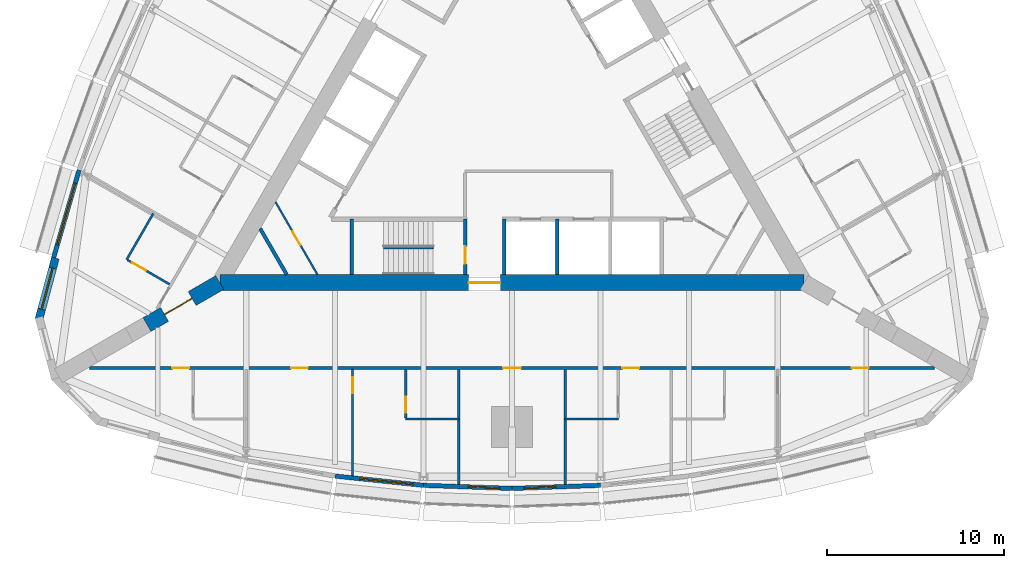
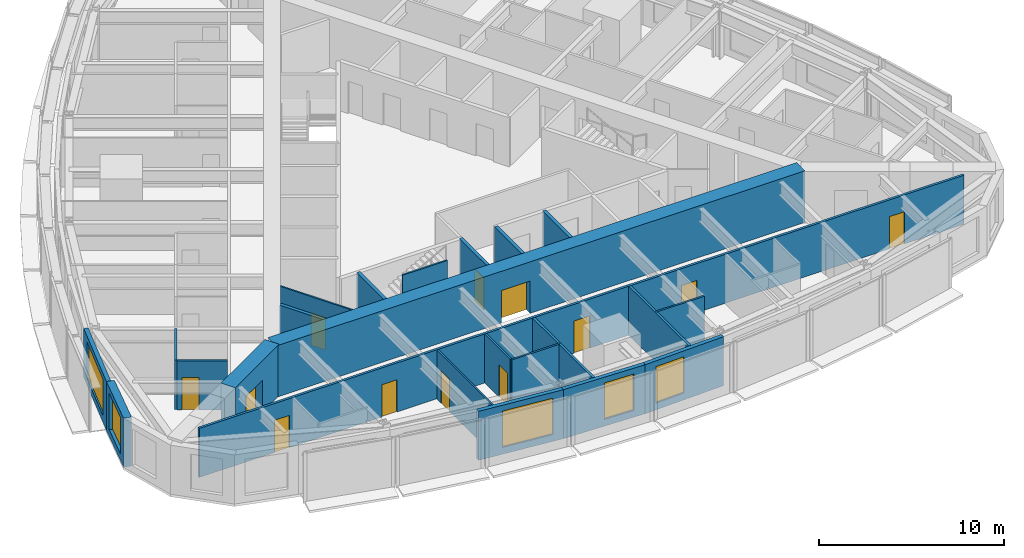
# One storey, part 8 of 14: 23 walls, 12 doors, 5 windows, 17 openings.
"""IFC4 building model written with IfcOpenShell, lengths in metres."""

from ifc_helpers import new_model, si_unit, direction, frame, frame_2d, origin, place, context, subcontext, project, spatial, rectangle, extrude, material, layer, layer_set, type_object, element, fill, save


model = new_model("IFC4")

# Units and contexts
model_context = context("Model", 3, precision=1e-05, world=origin(), true_north=direction((0.0, 1.0)))
body_context = subcontext(model_context, "Body", "Model", "MODEL_VIEW")
ifc_project = project(units=[si_unit("LENGTHUNIT", "METRE"), si_unit("AREAUNIT", "SQUARE_METRE"), si_unit("VOLUMEUNIT", "CUBIC_METRE"), si_unit("PLANEANGLEUNIT", "RADIAN"), si_unit("MASSUNIT", "GRAM", prefix="KILO")], contexts=[model_context])

# Site, building, storey
site_placement = place(None, origin())
site = spatial("IfcSite", under=ifc_project, at=site_placement, CompositionType="ELEMENT")
building_placement = place(site_placement, origin())
building = spatial("IfcBuilding", under=site, at=building_placement, Name="Trikona Tower", CompositionType="ELEMENT")
storey_placement = place(building_placement, frame((0.0, 0.0, 165.699951171875)))
storey = spatial("IfcBuildingStorey", under=building, at=storey_placement, Name="L44", CompositionType="ELEMENT", Elevation=165.699951171875)

# Wall
ifc_material_1 = material(Name="Metal stud and cement board", Category="gypsum")
ifc_layer_1 = layer(ifc_material_1, 0.1201171875)
ifc_layer_set_1 = layer_set([ifc_layer_1], Name="Bathroom wall 120")
wall_type_1 = type_object("IfcWallType", Name="Bathroom wall 120", PredefinedType="PLUMBINGWALL", material=ifc_layer_set_1)
wall_1_placement = place(storey_placement, frame((-6.0, -17.226318359375, 0.0), z_axis=(0.0, 0.0, 1.0), x_axis=(1.0, 0.0, 0.0)))
element("IfcWall", 1, at=wall_1_placement, inside=storey, type_object=wall_type_1, Name="Bathroom wall 4402.1", PredefinedType="PLUMBINGWALL", context=body_context, shape_type="SweptSolid", body=[
    extrude(rectangle(XDim=3.0, YDim=0.1201171875, at=frame_2d((1.5, 0.0))), origin(), (0.0, 0.0, 1.0), 3.235107421875),
])

# Wall, opening, door
wall_2_placement = place(storey_placement, frame((-6.0, -14.42626953125, 0.0), z_axis=(0.0, 0.0, 1.0), x_axis=(0.0, -1.0, 0.0)))
wall_2 = element("IfcWall", 2, at=wall_2_placement, inside=storey, type_object=wall_type_1, Name="Bathroom wall 4402.1", PredefinedType="PLUMBINGWALL", context=body_context, shape_type="SweptSolid", body=[
    extrude(rectangle(XDim=2.739990234375, YDim=0.1201171875, at=frame_2d((1.3701171875, 0.0))), origin(), (0.0, 0.0, 1.0), 3.235107421875),
])
opening_1_placement = place(wall_2_placement, frame((1.550048828125, 0.0, 0.0)))
opening_1 = element("IfcOpeningElement", 3, at=opening_1_placement, cuts=wall_2, Name="Opening D2", PredefinedType="OPENING", context=body_context, shape_type="SweptSolid", body=[
    extrude(rectangle(XDim=0.89990234375, YDim=2.1298828125, at=frame_2d((0.449951171875, 1.06494140625))), frame((0.0, 0.070068359375, 0.0), z_axis=(0.0, -1.0, 0.0), x_axis=(1.0, 0.0, 0.0)), (0.0, 0.0, 1.0), 0.14013671875),
])
ifc_material_2 = material(Name="Steel door frame with solid-core timber leaf", Category="steel")
door_type_1 = type_object("IfcDoorType", Name="Bathroom door 900x2130", OperationType="SLIDING_TO_LEFT", PredefinedType="DOOR", material=ifc_material_2)
door_1_placement = place(opening_1_placement, origin())
door_1 = element("IfcDoor", 4, at=door_1_placement, inside=storey, type_object=door_type_1, Name="Bathroom door 4402.1", OperationType="SLIDING_TO_LEFT", OverallHeight=2.1298828125, OverallWidth=0.89990234375, PredefinedType="DOOR", context=body_context, shape_type="SweptSolid", body=[
    extrude(rectangle(XDim=0.89990234375, YDim=2.1298828125, at=frame_2d((0.449951171875, 1.06494140625))), frame((0.0, 0.02490234375, 0.0), z_axis=(0.0, -1.0, 0.0), x_axis=(1.0, 0.0, 0.0)), (0.0, 0.0, 1.0), 0.050048828125),
])
fill(opening_1, door_1)

# Walls
for number, where, z_axis, x_axis, name in (
    (5, (3.0, -17.226318359375, 0.0), (0.0, 0.0, 1.0), (1.0, 0.0, 0.0), "Bathroom wall 4403"),
    (6, (-20.25341796875, -5.627197265625, 0.0), (0.0, 0.0, 1.0), (-0.499990139034, -0.866031096941, 0.0), "Bathroom wall 4413"),
):
    element("IfcWall", number, at=place(storey_placement, frame(where, z_axis=z_axis, x_axis=x_axis)), inside=storey, type_object=wall_type_1, Name=name, PredefinedType="PLUMBINGWALL", context=body_context, shape_type="SweptSolid", body=[
        extrude(rectangle(XDim=3.0, YDim=0.1201171875, at=frame_2d((1.5, 0.0))), origin(), (0.0, 0.0, 1.0), 3.235107421875),
    ])

# Wall, opening, door
wall_3_placement = place(storey_placement, frame((-19.32861328125, -9.625244140625, 0.0), z_axis=(0.0, 0.0, 1.0), x_axis=(-0.866035715982, 0.499982138324, 0.0)))
wall_3 = element("IfcWall", 7, at=wall_3_placement, inside=storey, type_object=wall_type_1, Name="Bathroom wall 4413", PredefinedType="PLUMBINGWALL", context=body_context, shape_type="SweptSolid", body=[
    extrude(rectangle(XDim=2.73974609375, YDim=0.1201171875, at=frame_2d((1.369873046875, 0.0))), origin(), (0.0, 0.0, 1.0), 3.235107421875),
])
opening_2_placement = place(wall_3_placement, frame((1.550048828125, 0.0, 0.0)))
opening_2 = element("IfcOpeningElement", 8, at=opening_2_placement, cuts=wall_3, Name="Opening D2", PredefinedType="OPENING", context=body_context, shape_type="SweptSolid", body=[
    extrude(rectangle(XDim=0.89990234375, YDim=2.1298828125, at=frame_2d((0.449951171875, 1.06494140625))), frame((0.0, 0.070068359375, 0.0), z_axis=(0.0, -1.0, 0.0), x_axis=(1.0, 0.0, 0.0)), (0.0, 0.0, 1.0), 0.14013671875),
])
door_2_placement = place(opening_2_placement, origin())
door_2 = element("IfcDoor", 9, at=door_2_placement, inside=storey, type_object=door_type_1, Name="Bathroom door 4413", OperationType="SLIDING_TO_LEFT", OverallHeight=2.1298828125, OverallWidth=0.89990234375, PredefinedType="DOOR", context=body_context, shape_type="SweptSolid", body=[
    extrude(rectangle(XDim=0.89990234375, YDim=2.1298828125, at=frame_2d((0.449951171875, 1.06494140625))), frame((0.0, 0.02490234375, 0.0), z_axis=(0.0, -1.0, 0.0), x_axis=(1.0, 0.0, 0.0)), (0.0, 0.0, 1.0), 0.050048828125),
])
fill(opening_2, door_2)

# Wall, opening, window
ifc_material_3 = material(Name="Brick-faced precast concrete", Category="masonry")
ifc_layer_2 = layer(ifc_material_3, 0.449951171875)
ifc_layer_set_2 = layer_set([ifc_layer_2], Name="Brick-faced corner wall 450")
wall_type_2 = type_object("IfcWallType", Name="Brick-faced corner wall 450", PredefinedType="SOLIDWALL", material=ifc_layer_set_2)
wall_4_placement = place(storey_placement, frame((-25.78271484375, -8.14111328125, 0.0), z_axis=(0.0, 0.0, 1.0), x_axis=(-0.258823421857, -0.965924653531, 0.0)))
wall_4 = element("IfcWall", 10, at=wall_4_placement, inside=storey, type_object=wall_type_2, Name="External wall L44-32", PredefinedType="SOLIDWALL", context=body_context, shape_type="SweptSolid", body=[
    extrude(rectangle(XDim=3.58642578125, YDim=0.449951171875, at=frame_2d((1.793212890625, 0.0))), origin(), (0.0, 0.0, 1.0), 3.235107421875),
])
opening_3_placement = place(wall_4_placement, frame((0.593017578125, 0.0, 0.449951171875)))
opening_3 = element("IfcOpeningElement", 11, at=opening_3_placement, cuts=wall_4, Name="Opening W2424", PredefinedType="OPENING", context=body_context, shape_type="SweptSolid", body=[
    extrude(rectangle(XDim=2.39990234375, YDim=2.39990234375, at=frame_2d((1.199951171875, 1.199951171875))), frame((0.0, 0.23486328125, 0.0), z_axis=(0.0, -1.0, 0.0), x_axis=(1.0, 0.0, 0.0)), (0.0, 0.0, 1.0), 0.469970703125),
])
ifc_material_4 = material(Name="Aluminium-framed double glazing", Category="aluminium")
window_type_1 = type_object("IfcWindowType", Name="Window 2400x2400", PartitioningType="SINGLE_PANEL", PredefinedType="WINDOW", material=ifc_material_4)
window_1_placement = place(opening_3_placement, origin())
window_1 = element("IfcWindow", 12, at=window_1_placement, inside=storey, type_object=window_type_1, Name="Window 4413", OverallHeight=2.39990234375, OverallWidth=2.39990234375, PartitioningType="SINGLE_PANEL", PredefinedType="WINDOW", context=body_context, shape_type="SweptSolid", body=[
    extrude(rectangle(XDim=2.39990234375, YDim=2.39990234375, at=frame_2d((1.199951171875, 1.199951171875))), frame((0.0, 0.030029296875, 0.0), z_axis=(0.0, -1.0, 0.0), x_axis=(1.0, 0.0, 0.0)), (0.0, 0.0, 1.0), 0.06005859375),
])
fill(opening_3, window_1)

# Wall, opening, door
ifc_material_5 = material(Name="Concrete f'c 10000 psi", Category="concrete")
ifc_layer_3 = layer(ifc_material_5, 0.89990234375)
ifc_layer_set_3 = layer_set([ifc_layer_3], Name="Buttress wall 900")
wall_type_3 = type_object("IfcWallType", Name="Buttress wall 900", PredefinedType="SHEAR", material=ifc_layer_set_3)
wall_5_placement = place(storey_placement, frame((-16.5, -9.5263671875, 0.0), z_axis=(0.0, 0.0, 1.0), x_axis=(-0.866031398331, -0.499989616998, 0.0)))
wall_5 = element("IfcWall", 13, at=wall_5_placement, inside=storey, type_object=wall_type_3, Name="Buttress wall 3", PredefinedType="SHEAR", context=body_context, shape_type="SweptSolid", body=[
    extrude(rectangle(XDim=4.74609375, YDim=0.89990234375, at=frame_2d((2.373046875, 0.0))), origin(), (0.0, 0.0, 1.0), 3.400146484375),
])
opening_4_placement = place(wall_5_placement, frame((1.800048828125, 0.0, 0.0)))
opening_4 = element("IfcOpeningElement", 14, at=opening_4_placement, cuts=wall_5, Name="Opening D10", PredefinedType="OPENING", context=body_context, shape_type="SweptSolid", body=[
    extrude(rectangle(XDim=1.800048828125, YDim=2.1298828125, at=frame_2d((0.89990234375, 1.06494140625))), frame((0.0, 0.4599609375, 0.0), z_axis=(0.0, -1.0, 0.0), x_axis=(1.0, 0.0, 0.0)), (0.0, 0.0, 1.0), 0.919921875),
])
ifc_material_6 = material(Name="Hollow metal door and frame", Category="steel")
door_type_2 = type_object("IfcDoorType", Name="Cross-corridor door pair 1800x2130", OperationType="DOUBLE_DOOR_DOUBLE_SWING", PredefinedType="DOOR", material=ifc_material_6)
door_3_placement = place(opening_4_placement, origin())
door_3 = element("IfcDoor", 15, at=door_3_placement, inside=storey, type_object=door_type_2, Name="Cross-corridor door 3", OperationType="DOUBLE_DOOR_DOUBLE_SWING", OverallHeight=2.1298828125, OverallWidth=1.800048828125, PredefinedType="DOOR", context=body_context, shape_type="SweptSolid", body=[
    extrude(rectangle(XDim=1.800048828125, YDim=2.1298828125, at=frame_2d((0.89990234375, 1.06494140625))), frame((0.0, 0.02490234375, 0.0), z_axis=(0.0, -1.0, 0.0), x_axis=(1.0, 0.0, 0.0)), (0.0, 0.0, 1.0), 0.050048828125),
])
fill(opening_4, door_3)

ifc_material_7 = material(Name="Concrete f'c 10000 psi", Category="concrete")
ifc_layer_4 = layer(ifc_material_7, 0.89990234375)
ifc_layer_set_4 = layer_set([ifc_layer_4], Name="Core wall 900")
wall_type_4 = type_object("IfcWallType", Name="Core wall 900", PredefinedType="SHEAR", material=ifc_layer_set_4)
wall_6_placement = place(storey_placement, frame((-16.5, -9.5263671875, 0.0), z_axis=(0.0, 0.0, 1.0), x_axis=(1.0, 0.0, 0.0)))
wall_6 = element("IfcWall", 16, at=wall_6_placement, inside=storey, type_object=wall_type_4, Name="Core wall A", PredefinedType="SHEAR", context=body_context, shape_type="SweptSolid", body=[
    extrude(rectangle(XDim=33.0, YDim=0.89990234375, at=frame_2d((16.5, 0.0))), origin(), (0.0, 0.0, 1.0), 3.400146484375),
])
opening_5_placement = place(wall_6_placement, frame((14.050048828125, 0.0, 0.0)))
opening_5 = element("IfcOpeningElement", 17, at=opening_5_placement, cuts=wall_6, Name="Opening D6", PredefinedType="OPENING", context=body_context, shape_type="SweptSolid", body=[
    extrude(rectangle(XDim=1.800048828125, YDim=2.1298828125, at=frame_2d((0.89990234375, 1.06494140625))), frame((0.0, 0.4599609375, 0.0), z_axis=(0.0, -1.0, 0.0), x_axis=(1.0, 0.0, 0.0)), (0.0, 0.0, 1.0), 0.919921875),
])
ifc_material_8 = material(Name="Hollow metal door and frame", Category="steel")
door_type_3 = type_object("IfcDoorType", Name="Lobby door pair 1800x2130", OperationType="DOUBLE_DOOR_SINGLE_SWING", PredefinedType="DOOR", material=ifc_material_8)
door_4_placement = place(opening_5_placement, origin())
door_4 = element("IfcDoor", 18, at=door_4_placement, inside=storey, type_object=door_type_3, Name="Fire service lift lobby door", OperationType="DOUBLE_DOOR_SINGLE_SWING", OverallHeight=2.1298828125, OverallWidth=1.800048828125, PredefinedType="DOOR", context=body_context, shape_type="SweptSolid", body=[
    extrude(rectangle(XDim=1.800048828125, YDim=2.1298828125, at=frame_2d((0.89990234375, 1.06494140625))), frame((0.0, 0.02490234375, 0.0), z_axis=(0.0, -1.0, 0.0), x_axis=(1.0, 0.0, 0.0)), (0.0, 0.0, 1.0), 0.050048828125),
])
fill(opening_5, door_4)

# Wall, openings, doors
ifc_material_9 = material(Name="Metal stud and gypsum board, 1-hour", Category="gypsum")
ifc_layer_5 = layer(ifc_material_9, 0.14990234375)
ifc_layer_set_5 = layer_set([ifc_layer_5], Name="Corridor wall 150")
wall_type_5 = type_object("IfcWallType", Name="Corridor wall 150", PredefinedType="PARTITIONING", material=ifc_layer_set_5)
wall_7_placement = place(storey_placement, frame((-23.857177734375, -14.351318359375, 0.0), z_axis=(0.0, 0.0, 1.0), x_axis=(1.0, 0.0, 0.0)))
wall_7 = element("IfcWall", 19, at=wall_7_placement, inside=storey, type_object=wall_type_5, Name="Corridor wall L44-1", PredefinedType="PARTITIONING", context=body_context, shape_type="SweptSolid", body=[
    extrude(rectangle(XDim=47.71435546875, YDim=0.14990234375, at=frame_2d((23.857177734375, 0.0))), origin(), (0.0, 0.0, 1.0), 3.235107421875),
])
opening_6_placement = place(wall_7_placement, frame((4.68212890625, 0.0, 0.0)))
opening_6 = element("IfcOpeningElement", 20, at=opening_6_placement, cuts=wall_7, Name="Opening D1", PredefinedType="OPENING", context=body_context, shape_type="SweptSolid", body=[
    extrude(rectangle(XDim=0.949951171875, YDim=2.1298828125, at=frame_2d((0.47509765625, 1.06494140625))), frame((0.0, 0.0849609375, 0.0), z_axis=(0.0, -1.0, 0.0), x_axis=(1.0, 0.0, 0.0)), (0.0, 0.0, 1.0), 0.169921875),
])
opening_7_placement = place(wall_7_placement, frame((11.382080078125, 0.0, 0.0)))
opening_7 = element("IfcOpeningElement", 21, at=opening_7_placement, cuts=wall_7, Name="Opening D1", PredefinedType="OPENING", context=body_context, shape_type="SweptSolid", body=[
    extrude(rectangle(XDim=0.949951171875, YDim=2.1298828125, at=frame_2d((0.47509765625, 1.06494140625))), frame((0.0, 0.0849609375, 0.0), z_axis=(0.0, -1.0, 0.0), x_axis=(1.0, 0.0, 0.0)), (0.0, 0.0, 1.0), 0.169921875),
])
opening_8_placement = place(wall_7_placement, frame((23.357177734375, 0.0, 0.0)))
opening_8 = element("IfcOpeningElement", 22, at=opening_8_placement, cuts=wall_7, Name="Opening D3", PredefinedType="OPENING", context=body_context, shape_type="SweptSolid", body=[
    extrude(rectangle(XDim=1.0, YDim=2.1298828125, at=frame_2d((0.5, 1.06494140625))), frame((0.0, 0.0849609375, 0.0), z_axis=(0.0, -1.0, 0.0), x_axis=(1.0, 0.0, 0.0)), (0.0, 0.0, 1.0), 0.169921875),
])
opening_9_placement = place(wall_7_placement, frame((30.08203125, 0.0, 0.0)))
opening_9 = element("IfcOpeningElement", 23, at=opening_9_placement, cuts=wall_7, Name="Opening D1", PredefinedType="OPENING", context=body_context, shape_type="SweptSolid", body=[
    extrude(rectangle(XDim=0.949951171875, YDim=2.1298828125, at=frame_2d((0.47509765625, 1.06494140625))), frame((0.0, 0.0849609375, 0.0), z_axis=(0.0, -1.0, 0.0), x_axis=(1.0, 0.0, 0.0)), (0.0, 0.0, 1.0), 0.169921875),
])
opening_10_placement = place(wall_7_placement, frame((43.041015625, 0.0, 0.0)))
opening_10 = element("IfcOpeningElement", 24, at=opening_10_placement, cuts=wall_7, Name="Opening D1", PredefinedType="OPENING", context=body_context, shape_type="SweptSolid", body=[
    extrude(rectangle(XDim=0.949951171875, YDim=2.1298828125, at=frame_2d((0.47509765625, 1.06494140625))), frame((0.0, 0.0849609375, 0.0), z_axis=(0.0, -1.0, 0.0), x_axis=(1.0, 0.0, 0.0)), (0.0, 0.0, 1.0), 0.169921875),
])
ifc_material_10 = material(Name="Steel door frame with solid-core timber leaf", Category="steel")
door_type_4 = type_object("IfcDoorType", Name="Guest room door 950x2130", OperationType="SINGLE_SWING_LEFT", PredefinedType="DOOR", material=ifc_material_10)
door_5_placement = place(opening_6_placement, origin())
door_5 = element("IfcDoor", 25, at=door_5_placement, inside=storey, type_object=door_type_4, Name="Room door 4401", OperationType="SINGLE_SWING_LEFT", OverallHeight=2.1298828125, OverallWidth=0.949951171875, PredefinedType="DOOR", context=body_context, shape_type="SweptSolid", body=[
    extrude(rectangle(XDim=0.949951171875, YDim=2.1298828125, at=frame_2d((0.47509765625, 1.06494140625))), frame((0.0, 0.02490234375, 0.0), z_axis=(0.0, -1.0, 0.0), x_axis=(1.0, 0.0, 0.0)), (0.0, 0.0, 1.0), 0.050048828125),
])
fill(opening_6, door_5)
door_6_placement = place(opening_7_placement, origin())
door_6 = element("IfcDoor", 26, at=door_6_placement, inside=storey, type_object=door_type_4, Name="Room door 4402", OperationType="SINGLE_SWING_RIGHT", OverallHeight=2.1298828125, OverallWidth=0.949951171875, PredefinedType="DOOR", context=body_context, shape_type="SweptSolid", body=[
    extrude(rectangle(XDim=0.949951171875, YDim=2.1298828125, at=frame_2d((0.47509765625, 1.06494140625))), frame((0.0, 0.02490234375, 0.0), z_axis=(0.0, -1.0, 0.0), x_axis=(1.0, 0.0, 0.0)), (0.0, 0.0, 1.0), 0.050048828125),
])
fill(opening_7, door_6)
door_7_placement = place(opening_9_placement, origin())
door_7 = element("IfcDoor", 27, at=door_7_placement, inside=storey, type_object=door_type_4, Name="Room door 4403", OperationType="SINGLE_SWING_RIGHT", OverallHeight=2.1298828125, OverallWidth=0.949951171875, PredefinedType="DOOR", context=body_context, shape_type="SweptSolid", body=[
    extrude(rectangle(XDim=0.949951171875, YDim=2.1298828125, at=frame_2d((0.47509765625, 1.06494140625))), frame((0.0, 0.02490234375, 0.0), z_axis=(0.0, -1.0, 0.0), x_axis=(1.0, 0.0, 0.0)), (0.0, 0.0, 1.0), 0.050048828125),
])
fill(opening_9, door_7)
door_8_placement = place(opening_10_placement, origin())
door_8 = element("IfcDoor", 28, at=door_8_placement, inside=storey, type_object=door_type_4, Name="Room door 4404", OperationType="SINGLE_SWING_RIGHT", OverallHeight=2.1298828125, OverallWidth=0.949951171875, PredefinedType="DOOR", context=body_context, shape_type="SweptSolid", body=[
    extrude(rectangle(XDim=0.949951171875, YDim=2.1298828125, at=frame_2d((0.47509765625, 1.06494140625))), frame((0.0, 0.02490234375, 0.0), z_axis=(0.0, -1.0, 0.0), x_axis=(1.0, 0.0, 0.0)), (0.0, 0.0, 1.0), 0.050048828125),
])
fill(opening_10, door_8)
ifc_material_11 = material(Name="Steel door frame with solid-core timber leaf", Category="steel")
door_type_5 = type_object("IfcDoorType", Name="Room door 1000x2130", OperationType="SINGLE_SWING_LEFT", PredefinedType="DOOR", material=ifc_material_11)
door_9_placement = place(opening_8_placement, origin())
door_9 = element("IfcDoor", 29, at=door_9_placement, inside=storey, type_object=door_type_5, Name="Door Housekeeping pantry", OperationType="SINGLE_SWING_LEFT", OverallHeight=2.1298828125, OverallWidth=1.0, PredefinedType="DOOR", context=body_context, shape_type="SweptSolid", body=[
    extrude(rectangle(XDim=1.0, YDim=2.1298828125, at=frame_2d((0.5, 1.06494140625))), frame((0.0, 0.02490234375, 0.0), z_axis=(0.0, -1.0, 0.0), x_axis=(1.0, 0.0, 0.0)), (0.0, 0.0, 1.0), 0.050048828125),
])
fill(opening_8, door_9)

# Wall, opening, window
ifc_material_12 = material(Name="Insulated precast concrete spandrel panel", Category="concrete")
ifc_layer_6 = layer(ifc_material_12, 0.25)
ifc_layer_set_6 = layer_set([ifc_layer_6], Name="Inner skin wall 250")
wall_type_6 = type_object("IfcWallType", Name="Inner skin wall 250", PredefinedType="STANDARD", material=ifc_layer_set_6)
wall_8_placement = place(storey_placement, frame((-9.98681640625, -20.450927734375, 0.0), z_axis=(0.0, 0.0, 1.0), x_axis=(0.994534683851, -0.104406717299, 0.0)))
wall_8 = element("IfcWall", 30, at=wall_8_placement, inside=storey, type_object=wall_type_6, Name="External wall L44-02", PredefinedType="STANDARD", context=body_context, shape_type="SweptSolid", body=[
    extrude(rectangle(XDim=5.027587890625, YDim=0.25, at=frame_2d((2.513671875, 0.0))), origin(), (0.0, 0.0, 1.0), 3.235107421875),
])
opening_11_placement = place(wall_8_placement, frame((1.41796875, 0.0, 0.449951171875)))
opening_11 = element("IfcOpeningElement", 31, at=opening_11_placement, cuts=wall_8, Name="Opening W3024", PredefinedType="OPENING", context=body_context, shape_type="SweptSolid", body=[
    extrude(rectangle(XDim=3.0, YDim=2.39990234375, at=frame_2d((1.5, 1.199951171875))), frame((0.0, 0.135009765625, 0.0), z_axis=(0.0, -1.0, 0.0), x_axis=(1.0, 0.0, 0.0)), (0.0, 0.0, 1.0), 0.27001953125),
])
ifc_material_13 = material(Name="Aluminium-framed double glazing", Category="aluminium")
window_type_2 = type_object("IfcWindowType", Name="Window 3000x2400", PartitioningType="SINGLE_PANEL", PredefinedType="WINDOW", material=ifc_material_13)
window_2_placement = place(opening_11_placement, origin())
window_2 = element("IfcWindow", 32, at=window_2_placement, inside=storey, type_object=window_type_2, Name="Window 4402.1", OverallHeight=2.39990234375, OverallWidth=3.0, PartitioningType="SINGLE_PANEL", PredefinedType="WINDOW", context=body_context, shape_type="SweptSolid", body=[
    extrude(rectangle(XDim=3.0, YDim=2.39990234375, at=frame_2d((1.5, 1.199951171875))), frame((0.0, 0.030029296875, 0.0), z_axis=(0.0, -1.0, 0.0), x_axis=(1.0, 0.0, 0.0)), (0.0, 0.0, 1.0), 0.06005859375),
])
fill(opening_11, window_2)

wall_9_placement = place(storey_placement, frame((-4.99560546875, -20.975341796875, 0.0), z_axis=(0.0, 0.0, 1.0), x_axis=(0.999387720943, -0.034988329879, 0.0)))
wall_9 = element("IfcWall", 33, at=wall_9_placement, inside=storey, type_object=wall_type_6, Name="External wall L44-03", PredefinedType="STANDARD", context=body_context, shape_type="SweptSolid", body=[
    extrude(rectangle(XDim=5.003173828125, YDim=0.25, at=frame_2d((2.50146484375, 0.0))), origin(), (0.0, 0.0, 1.0), 3.235107421875),
])
opening_12_placement = place(wall_9_placement, frame((2.519287109375, 0.0, 0.449951171875)))
opening_12 = element("IfcOpeningElement", 34, at=opening_12_placement, cuts=wall_9, Name="Opening W1824", PredefinedType="OPENING", context=body_context, shape_type="SweptSolid", body=[
    extrude(rectangle(XDim=1.800048828125, YDim=2.39990234375, at=frame_2d((0.89990234375, 1.199951171875))), frame((0.0, 0.135009765625, 0.0), z_axis=(0.0, -1.0, 0.0), x_axis=(1.0, 0.0, 0.0)), (0.0, 0.0, 1.0), 0.27001953125),
])
ifc_material_14 = material(Name="Aluminium-framed double glazing", Category="aluminium")
window_type_3 = type_object("IfcWindowType", Name="Window 1800x2400", PartitioningType="SINGLE_PANEL", PredefinedType="WINDOW", material=ifc_material_14)
window_3_placement = place(opening_12_placement, origin())
window_3 = element("IfcWindow", 35, at=window_3_placement, inside=storey, type_object=window_type_3, Name="Window L44-HKP", OverallHeight=2.39990234375, OverallWidth=1.800048828125, PartitioningType="SINGLE_PANEL", PredefinedType="WINDOW", context=body_context, shape_type="SweptSolid", body=[
    extrude(rectangle(XDim=1.800048828125, YDim=2.39990234375, at=frame_2d((0.89990234375, 1.199951171875))), frame((0.0, 0.030029296875, 0.0), z_axis=(0.0, -1.0, 0.0), x_axis=(1.0, 0.0, 0.0)), (0.0, 0.0, 1.0), 0.06005859375),
])
fill(opening_12, window_3)

wall_10_placement = place(storey_placement, frame((-0.00439453125, -21.150390625, 0.0), z_axis=(0.0, 0.0, 1.0), x_axis=(0.999387720943, 0.034988329879, 0.0)))
wall_10 = element("IfcWall", 36, at=wall_10_placement, inside=storey, type_object=wall_type_6, Name="External wall L44-04", PredefinedType="STANDARD", context=body_context, shape_type="SweptSolid", body=[
    extrude(rectangle(XDim=5.003173828125, YDim=0.25, at=frame_2d((2.50146484375, 0.0))), origin(), (0.0, 0.0, 1.0), 3.235107421875),
])
opening_13_placement = place(wall_10_placement, frame((0.683837890625, 0.0, 0.449951171875)))
opening_13 = element("IfcOpeningElement", 37, at=opening_13_placement, cuts=wall_10, Name="Opening W1824", PredefinedType="OPENING", context=body_context, shape_type="SweptSolid", body=[
    extrude(rectangle(XDim=1.800048828125, YDim=2.39990234375, at=frame_2d((0.89990234375, 1.199951171875))), frame((0.0, 0.135009765625, 0.0), z_axis=(0.0, -1.0, 0.0), x_axis=(1.0, 0.0, 0.0)), (0.0, 0.0, 1.0), 0.27001953125),
])
window_4_placement = place(opening_13_placement, origin())
window_4 = element("IfcWindow", 38, at=window_4_placement, inside=storey, type_object=window_type_3, Name="Window L44-HKP", OverallHeight=2.39990234375, OverallWidth=1.800048828125, PartitioningType="SINGLE_PANEL", PredefinedType="WINDOW", context=body_context, shape_type="SweptSolid", body=[
    extrude(rectangle(XDim=1.800048828125, YDim=2.39990234375, at=frame_2d((0.89990234375, 1.199951171875))), frame((0.0, 0.030029296875, 0.0), z_axis=(0.0, -1.0, 0.0), x_axis=(1.0, 0.0, 0.0)), (0.0, 0.0, 1.0), 0.06005859375),
])
fill(opening_13, window_4)

wall_11_placement = place(storey_placement, frame((-24.44091796875, -3.17529296875, 0.0), z_axis=(0.0, 0.0, 1.0), x_axis=(-0.279528287117, -0.960137457191, 0.0)))
wall_11 = element("IfcWall", 39, at=wall_11_placement, inside=storey, type_object=wall_type_6, Name="External wall L44-31", PredefinedType="STANDARD", context=body_context, shape_type="SweptSolid", body=[
    extrude(rectangle(XDim=5.14794921875, YDim=0.25, at=frame_2d((2.573974609375, 0.0))), origin(), (0.0, 0.0, 1.0), 3.235107421875),
])
opening_14_placement = place(wall_11_placement, frame((0.77392578125, 0.0, 0.449951171875)))
opening_14 = element("IfcOpeningElement", 40, at=opening_14_placement, cuts=wall_11, Name="Opening W3624", PredefinedType="OPENING", context=body_context, shape_type="SweptSolid", body=[
    extrude(rectangle(XDim=3.60009765625, YDim=2.39990234375, at=frame_2d((1.800048828125, 1.199951171875))), frame((0.0, 0.135009765625, 0.0), z_axis=(0.0, -1.0, 0.0), x_axis=(1.0, 0.0, 0.0)), (0.0, 0.0, 1.0), 0.27001953125),
])
ifc_material_15 = material(Name="Aluminium-framed double glazing", Category="aluminium")
window_type_4 = type_object("IfcWindowType", Name="Window 3600x2400", PartitioningType="SINGLE_PANEL", PredefinedType="WINDOW", material=ifc_material_15)
window_5_placement = place(opening_14_placement, origin())
window_5 = element("IfcWindow", 41, at=window_5_placement, inside=storey, type_object=window_type_4, Name="Window 4413", OverallHeight=2.39990234375, OverallWidth=3.60009765625, PartitioningType="SINGLE_PANEL", PredefinedType="WINDOW", context=body_context, shape_type="SweptSolid", body=[
    extrude(rectangle(XDim=3.60009765625, YDim=2.39990234375, at=frame_2d((1.800048828125, 1.199951171875))), frame((0.0, 0.030029296875, 0.0), z_axis=(0.0, -1.0, 0.0), x_axis=(1.0, 0.0, 0.0)), (0.0, 0.0, 1.0), 0.06005859375),
])
fill(opening_14, window_5)

# Walls
ifc_material_16 = material(Name="Metal stud and gypsum board, 1-hour acoustic", Category="gypsum")
ifc_layer_7 = layer(ifc_material_16, 0.14990234375)
ifc_layer_set_7 = layer_set([ifc_layer_7], Name="Party wall 150")
wall_type_7 = type_object("IfcWallType", Name="Party wall 150", PredefinedType="PARTITIONING", material=ifc_layer_set_7)
for number, where, z_axis, x_axis, name in (
    (42, (-3.0, -14.42626953125, 0.0), (0.0, 0.0, 1.0), (0.0, -1.0, 0.0), "Partition L44 F1 u-3"),
    (43, (3.0, -14.42626953125, 0.0), (0.0, 0.0, 1.0), (0.0, -1.0, 0.0), "Partition L44 F1 u3"),
):
    element("IfcWall", number, at=place(storey_placement, frame(where, z_axis=z_axis, x_axis=x_axis)), inside=storey, type_object=wall_type_7, Name=name, PredefinedType="PARTITIONING", context=body_context, shape_type="SweptSolid", body=[
        extrude(rectangle(XDim=6.49365234375, YDim=0.14990234375, at=frame_2d((3.246826171875, 0.0))), origin(), (0.0, 0.0, 1.0), 3.235107421875),
    ])
ifc_material_17 = material(Name="Concrete f'c 8000 psi", Category="concrete")
ifc_layer_8 = layer(ifc_material_17, 0.199951171875)
ifc_layer_set_8 = layer_set([ifc_layer_8], Name="Shaft wall 200")
wall_type_8 = type_object("IfcWallType", Name="Shaft wall 200", PredefinedType="SOLIDWALL", material=ifc_layer_set_8)
for number, where, z_axis, x_axis, name in (
    (44, (-0.449951171875, -5.951416015625, 0.0), (0.0, 0.0, 1.0), (0.0, -1.0, 0.0), "Shaft wall A3"),
    (45, (2.550048828125, -5.951416015625, 0.0), (0.0, 0.0, 1.0), (0.0, -1.0, 0.0), "Shaft wall A4"),
):
    element("IfcWall", number, at=place(storey_placement, frame(where, z_axis=z_axis, x_axis=x_axis)), inside=storey, type_object=wall_type_8, Name=name, PredefinedType="SOLIDWALL", context=body_context, shape_type="SweptSolid", body=[
        extrude(rectangle(XDim=3.125, YDim=0.199951171875, at=frame_2d((1.5625, 0.0))), origin(), (0.0, 0.0, 1.0), 3.235107421875),
    ])
wall_12_placement = place(storey_placement, frame((-12.718505859375, -9.076416015625, 0.0), z_axis=(0.0, 0.0, 1.0), x_axis=(-0.499952404951, 0.866052881055, 0.0)))
element("IfcWall", 46, at=wall_12_placement, inside=storey, type_object=wall_type_8, Name="Riser wall L44-RS3", PredefinedType="SOLIDWALL", context=body_context, shape_type="SweptSolid", body=[
    extrude(rectangle(XDim=3.002197265625, YDim=0.199951171875, at=frame_2d((1.5009765625, 0.0))), origin(), (0.0, 0.0, 1.0), 3.235107421875),
])
ifc_material_18 = material(Name="Concrete f'c 8000 psi", Category="concrete")
ifc_layer_9 = layer(ifc_material_18, 0.199951171875)
ifc_layer_set_9 = layer_set([ifc_layer_9], Name="Shaft wall 200 load-bearing")
wall_type_9 = type_object("IfcWallType", Name="Shaft wall 200 load-bearing", PredefinedType="SOLIDWALL", material=ifc_layer_set_9)
wall_13_placement = place(storey_placement, frame((-9.050048828125, -5.951416015625, 0.0), z_axis=(0.0, 0.0, 1.0), x_axis=(0.0, -1.0, 0.0)))
element("IfcWall", 47, at=wall_13_placement, inside=storey, type_object=wall_type_9, Name="Shaft wall A1", PredefinedType="SOLIDWALL", context=body_context, shape_type="SweptSolid", body=[
    extrude(rectangle(XDim=3.125, YDim=0.199951171875, at=frame_2d((1.5625, 0.0))), origin(), (0.0, 0.0, 1.0), 3.235107421875),
])

# Wall, opening, door
wall_14_placement = place(storey_placement, frame((-2.64990234375, -5.951416015625, 0.0), z_axis=(0.0, 0.0, 1.0), x_axis=(0.0, -1.0, 0.0)))
wall_14 = element("IfcWall", 48, at=wall_14_placement, inside=storey, type_object=wall_type_9, Name="Shaft wall A2", PredefinedType="SOLIDWALL", context=body_context, shape_type="SweptSolid", body=[
    extrude(rectangle(XDim=3.125, YDim=0.199951171875, at=frame_2d((1.5625, 0.0))), origin(), (0.0, 0.0, 1.0), 3.235107421875),
])
opening_15_placement = place(wall_14_placement, frame((1.52490234375, 0.0, 0.0)))
opening_15 = element("IfcOpeningElement", 49, at=opening_15_placement, cuts=wall_14, Name="Opening D5", PredefinedType="OPENING", context=body_context, shape_type="SweptSolid", body=[
    extrude(rectangle(XDim=1.0, YDim=2.1298828125, at=frame_2d((0.5, 1.06494140625))), frame((0.0, 0.10986328125, 0.0), z_axis=(0.0, -1.0, 0.0), x_axis=(1.0, 0.0, 0.0)), (0.0, 0.0, 1.0), 0.219970703125),
])
ifc_material_19 = material(Name="Hollow metal door and frame", Category="steel")
door_type_6 = type_object("IfcDoorType", Name="Stair door 1000x2130", OperationType="SINGLE_SWING_LEFT", PredefinedType="DOOR", material=ifc_material_19)
door_10_placement = place(opening_15_placement, origin())
door_10 = element("IfcDoor", 50, at=door_10_placement, inside=storey, type_object=door_type_6, Name="Stair A door", OperationType="SINGLE_SWING_RIGHT", OverallHeight=2.1298828125, OverallWidth=1.0, PredefinedType="DOOR", context=body_context, shape_type="SweptSolid", body=[
    extrude(rectangle(XDim=1.0, YDim=2.1298828125, at=frame_2d((0.5, 1.06494140625))), frame((0.0, 0.02490234375, 0.0), z_axis=(0.0, -1.0, 0.0), x_axis=(1.0, 0.0, 0.0)), (0.0, 0.0, 1.0), 0.050048828125),
])
fill(opening_15, door_10)

# Wall
ifc_material_20 = material(Name="Concrete f'c 5000 psi", Category="concrete")
ifc_layer_10 = layer(ifc_material_20, 0.10009765625)
ifc_layer_set_10 = layer_set([ifc_layer_10], Name="Stair spine wall 100")
wall_type_10 = type_object("IfcWallType", Name="Stair spine wall 100", PredefinedType="SOLIDWALL", material=ifc_layer_set_10)
wall_15_placement = place(storey_placement, frame((-7.2470703125, -7.576416015625, 0.0), z_axis=(0.0, 0.0, 1.0), x_axis=(1.0, 0.0, 0.0)))
element("IfcWall", 51, at=wall_15_placement, inside=storey, type_object=wall_type_10, Name="Stair A spine wall L44", PredefinedType="SOLIDWALL", context=body_context, shape_type="SweptSolid", body=[
    extrude(rectangle(XDim=2.794189453125, YDim=0.10009765625, at=frame_2d((1.39697265625, 0.0))), origin(), (0.0, 0.0, 1.0), 3.400146484375),
])

# Wall, opening, door
ifc_material_21 = material(Name="Metal stud and gypsum board, acoustic", Category="gypsum")
ifc_layer_11 = layer(ifc_material_21, 0.10009765625)
ifc_layer_set_11 = layer_set([ifc_layer_11], Name="Suite partition 100")
wall_type_11 = type_object("IfcWallType", Name="Suite partition 100", PredefinedType="PARTITIONING", material=ifc_layer_set_11)
wall_16_placement = place(storey_placement, frame((-9.0, -14.42626953125, 0.0), z_axis=(0.0, 0.0, 1.0), x_axis=(0.0, -1.0, 0.0)))
wall_16 = element("IfcWall", 52, at=wall_16_placement, inside=storey, type_object=wall_type_11, Name="Suite partition L44 F1 u-9", PredefinedType="PARTITIONING", context=body_context, shape_type="SweptSolid", body=[
    extrude(rectangle(XDim=6.00244140625, YDim=0.10009765625, at=frame_2d((3.001220703125, 0.0))), origin(), (0.0, 0.0, 1.0), 3.235107421875),
])
opening_16_placement = place(wall_16_placement, frame((0.449951171875, 0.0, 0.0)))
opening_16 = element("IfcOpeningElement", 53, at=opening_16_placement, cuts=wall_16, Name="Opening D13", PredefinedType="OPENING", context=body_context, shape_type="SweptSolid", body=[
    extrude(rectangle(XDim=0.89990234375, YDim=2.1298828125, at=frame_2d((0.449951171875, 1.06494140625))), frame((0.0, 0.06005859375, 0.0), z_axis=(0.0, -1.0, 0.0), x_axis=(1.0, 0.0, 0.0)), (0.0, 0.0, 1.0), 0.1201171875),
])
ifc_material_22 = material(Name="Steel door frame with solid-core timber leaf", Category="steel")
door_type_7 = type_object("IfcDoorType", Name="Suite door 900x2130", OperationType="SINGLE_SWING_LEFT", PredefinedType="DOOR", material=ifc_material_22)
door_11_placement = place(opening_16_placement, origin())
door_11 = element("IfcDoor", 54, at=door_11_placement, inside=storey, type_object=door_type_7, Name="Suite door 4402", OperationType="SINGLE_SWING_LEFT", OverallHeight=2.1298828125, OverallWidth=0.89990234375, PredefinedType="DOOR", context=body_context, shape_type="SweptSolid", body=[
    extrude(rectangle(XDim=0.89990234375, YDim=2.1298828125, at=frame_2d((0.449951171875, 1.06494140625))), frame((0.0, 0.02490234375, 0.0), z_axis=(0.0, -1.0, 0.0), x_axis=(1.0, 0.0, 0.0)), (0.0, 0.0, 1.0), 0.050048828125),
])
fill(opening_16, door_11)

wall_17_placement = place(storey_placement, frame((-10.986328125, -9.076416015625, 0.0), z_axis=(0.0, 0.0, 1.0), x_axis=(-0.499999210213, 0.866025859768, 0.0)))
wall_17 = element("IfcWall", 55, at=wall_17_placement, inside=storey, type_object=wall_type_11, Name="Store partition L44-RS3", PredefinedType="PARTITIONING", context=body_context, shape_type="SweptSolid", body=[
    extrude(rectangle(XDim=4.734375, YDim=0.10009765625, at=frame_2d((2.3671875, 0.0))), origin(), (0.0, 0.0, 1.0), 3.235107421875),
])
opening_17_placement = place(wall_17_placement, frame((1.917236328125, 0.0, 0.0)))
opening_17 = element("IfcOpeningElement", 56, at=opening_17_placement, cuts=wall_17, Name="Opening D15", PredefinedType="OPENING", context=body_context, shape_type="SweptSolid", body=[
    extrude(rectangle(XDim=0.89990234375, YDim=2.1298828125, at=frame_2d((0.449951171875, 1.06494140625))), frame((0.0, 0.06005859375, 0.0), z_axis=(0.0, -1.0, 0.0), x_axis=(1.0, 0.0, 0.0)), (0.0, 0.0, 1.0), 0.1201171875),
])
ifc_material_23 = material(Name="Steel door frame with solid-core timber leaf", Category="steel")
door_type_8 = type_object("IfcDoorType", Name="Store door 900x2130", OperationType="SINGLE_SWING_LEFT", PredefinedType="DOOR", material=ifc_material_23)
door_12_placement = place(opening_17_placement, origin())
door_12 = element("IfcDoor", 57, at=door_12_placement, inside=storey, type_object=door_type_8, Name="Door Amenity store AMS", OperationType="SINGLE_SWING_RIGHT", OverallHeight=2.1298828125, OverallWidth=0.89990234375, PredefinedType="DOOR", context=body_context, shape_type="SweptSolid", body=[
    extrude(rectangle(XDim=0.89990234375, YDim=2.1298828125, at=frame_2d((0.449951171875, 1.06494140625))), frame((0.0, 0.02490234375, 0.0), z_axis=(0.0, -1.0, 0.0), x_axis=(1.0, 0.0, 0.0)), (0.0, 0.0, 1.0), 0.050048828125),
])
fill(opening_17, door_12)

save(model, "model.ifc")
